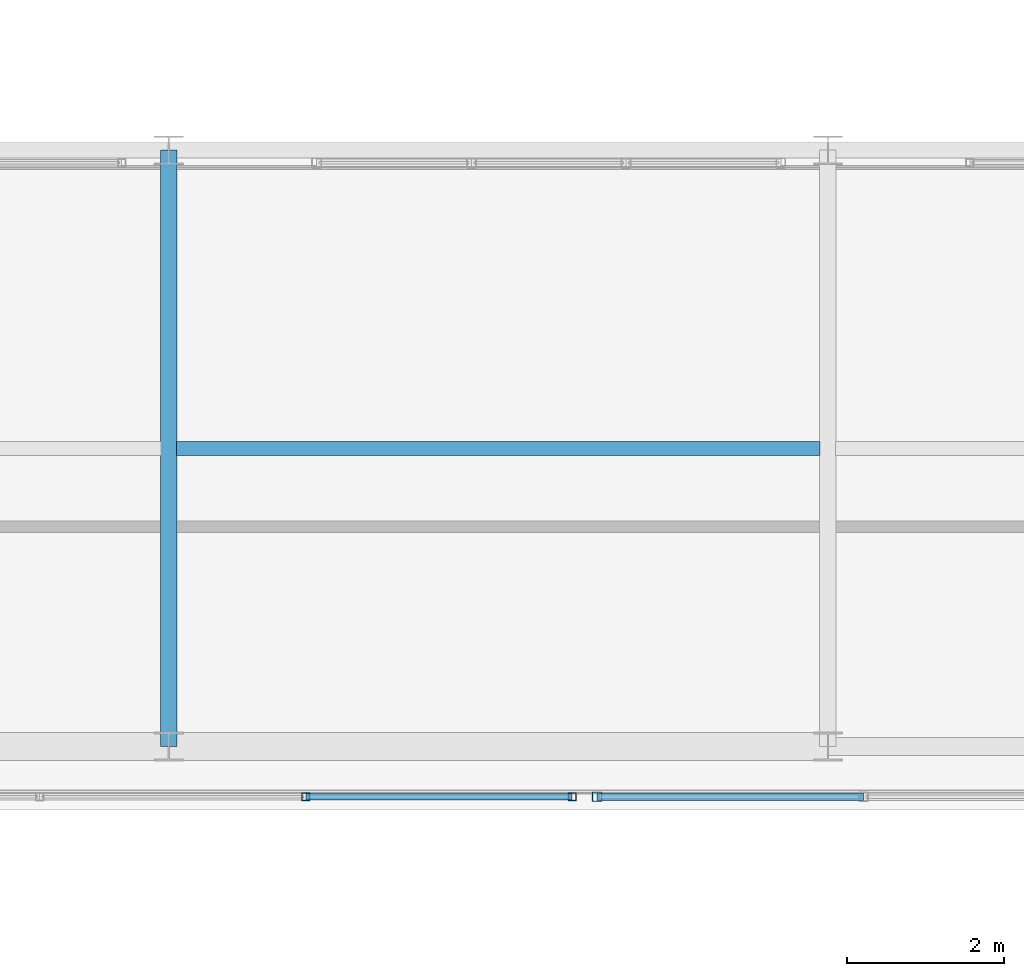
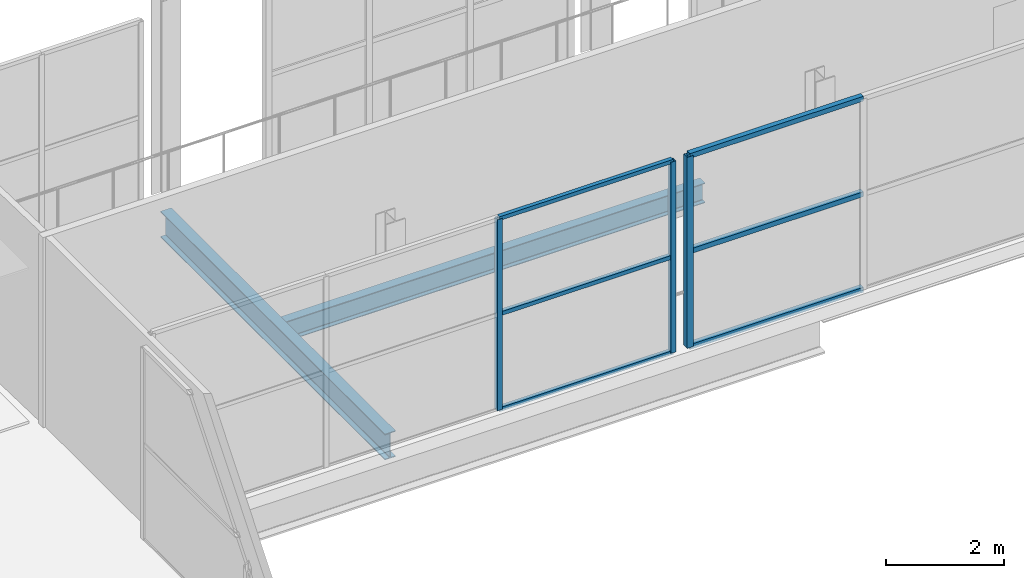
# One storey, part 55 of 217: 9 members, 2 beams, 2 elements without a shape of their own.
"""IFC4 building model written with IfcOpenShell, lengths in metres."""

from ifc_helpers import new_model, si_unit, direction, frame, origin, origin_2d, place, context, subcontext, project, spatial, hollow_rectangle, i_section, extrude, material, material_profile, profile_set, type_object, element, aggregate, save


model = new_model("IFC4")

# Units and contexts
model_context = context("Model", 3, precision=1e-05, world=origin(), true_north=direction((0.0, 1.0)))
body_context = subcontext(model_context, "Body", "Model", "MODEL_VIEW")
ifc_project = project(units=[si_unit("LENGTHUNIT", "METRE"), si_unit("AREAUNIT", "SQUARE_METRE"), si_unit("VOLUMEUNIT", "CUBIC_METRE"), si_unit("PLANEANGLEUNIT", "RADIAN"), si_unit("MASSUNIT", "GRAM", prefix="KILO")], contexts=[model_context])

# Site, building, storey
site_placement = place(None, origin())
site = spatial("IfcSite", under=ifc_project, at=site_placement, CompositionType="ELEMENT")
building_placement = place(site_placement, origin())
building = spatial("IfcBuilding", under=site, at=building_placement, Name="Zuvorla Pavilion Media Centre", CompositionType="ELEMENT")
storey_placement = place(building_placement, frame((0.0, 0.0, 9.60009765625)))
storey = spatial("IfcBuildingStorey", under=building, at=storey_placement, Name="L02", CompositionType="ELEMENT", Elevation=9.60009765625)

# Beams
ifc_material_1 = material(Name="Steel S355", Category="steel")
ifc_material_profile_1 = material_profile(ifc_material_1, i_section(OverallWidth=0.1787109375, OverallDepth=0.409423828125, WebThickness=0.0087890625, FlangeThickness=0.014404296875, FilletRadius=0.01025390625, at=origin_2d()), Name="UB 406x178x67")
ifc_profile_set_1 = profile_set([ifc_material_profile_1], Name="Steel S355")
beam_type_1 = type_object("IfcBeamType", Name="BM-UB406", PredefinedType="JOIST", material=ifc_profile_set_1)
beam_1_placement = place(storey_placement, frame((33.300048828125, 85.800048828125, -0.472900390625), z_axis=(1.0, 0.0, 0.0), x_axis=(0.0, 1.0, 0.0)))
element("IfcBeam", 1, at=beam_1_placement, inside=storey, type_object=beam_type_1, Name="L02 joist J02 988", PredefinedType="JOIST", context=body_context, shape_type="SweptSolid", body=[
    extrude(i_section(OverallWidth=0.1787109375, OverallDepth=0.409423828125, WebThickness=0.0087890625, FlangeThickness=0.014404296875, FilletRadius=0.01025390625, at=origin_2d()), origin(), (0.0, 0.0, 1.0), 8.199951171875),
])
ifc_material_profile_2 = material_profile(ifc_material_1, i_section(OverallWidth=0.2099609375, OverallDepth=0.53662109375, WebThickness=0.0107421875, FlangeThickness=0.017333984375, FilletRadius=0.0126953125, at=origin_2d()), Name="UB 533x210x101")
ifc_profile_set_2 = profile_set([ifc_material_profile_2], Name="Steel S355")
beam_type_2 = type_object("IfcBeamType", Name="BM-UB533", PredefinedType="BEAM", material=ifc_profile_set_2)
beam_2_placement = place(storey_placement, frame((33.199951171875, 82.0, -0.536376953125), z_axis=(0.0, 1.0, 0.0), x_axis=(-1.0, 0.0, 0.0)))
element("IfcBeam", 2, at=beam_2_placement, inside=storey, type_object=beam_type_2, Name="L02 beam B08 902", PredefinedType="BEAM", context=body_context, shape_type="SweptSolid", body=[
    extrude(i_section(OverallWidth=0.2099609375, OverallDepth=0.53662109375, WebThickness=0.0107421875, FlangeThickness=0.017333984375, FilletRadius=0.0126953125, at=origin_2d()), origin(), (0.0, 0.0, 1.0), 7.60009765625),
])

# Curtain wall, members
ifc_material_2 = material(Name="Unitised anodised aluminium and solar glass curtain wall", Category="aluminium")
curtain_wall_type_1 = type_object("IfcCurtainWallType", Name="CW-SYS-30", PredefinedType="USERDEFINED", material=ifc_material_2)
curtain_wall_1_placement = place(storey_placement, origin())
curtain_wall_1 = element("IfcCurtainWall", 3, at=curtain_wall_1_placement, inside=storey, type_object=curtain_wall_type_1, Name="L02 curtain wall CW30 51", ObjectType="CURTAIN WALL", PredefinedType="USERDEFINED")
ifc_material_3 = material(Name="Anodised aluminium 6063-T6", Category="aluminium")
ifc_material_profile_3 = material_profile(ifc_material_3, hollow_rectangle(XDim=0.10009765625, YDim=0.10009765625, WallThickness=0.00439453125, at=origin_2d()), Name="ALU MULL 100x100")
ifc_profile_set_3 = profile_set([ifc_material_profile_3], Name="Anodised aluminium 6063-T6")
member_type_1 = type_object("IfcMemberType", Name="CW-MULL-100", PredefinedType="MULLION", material=ifc_profile_set_3)
member_1_placement = place(storey_placement, frame((38.340087890625, 81.360107421875, 0.0), z_axis=(0.0, 0.0, 1.0), x_axis=(1.0, 0.0, 0.0)))
member_1 = element("IfcMember", 4, at=member_1_placement, type_object=member_type_1, Name="CW30 mullion 1", PredefinedType="MULLION", context=body_context, shape_type="SweptSolid", body=[
    extrude(hollow_rectangle(XDim=0.10009765625, YDim=0.10009765625, WallThickness=0.00439453125, at=origin_2d()), origin(), (0.0, 0.0, 1.0), 3.949951171875),
])
member_2_placement = place(storey_placement, frame((34.94677734375, 81.360107421875, 0.0), z_axis=(0.0, 0.0, 1.0), x_axis=(1.0, 0.0, 0.0)))
member_2 = element("IfcMember", 5, at=member_2_placement, type_object=member_type_1, Name="CW30 mullion 2", PredefinedType="MULLION", context=body_context, shape_type="SweptSolid", body=[
    extrude(hollow_rectangle(XDim=0.10009765625, YDim=0.10009765625, WallThickness=0.00439453125, at=origin_2d()), origin(), (0.0, 0.0, 1.0), 3.949951171875),
])

curtain_wall_type_2 = type_object("IfcCurtainWallType", Name="CW-SYS-33", PredefinedType="USERDEFINED", material=ifc_material_2)
curtain_wall_2_placement = place(storey_placement, origin())
curtain_wall_2 = element("IfcCurtainWall", 6, at=curtain_wall_2_placement, inside=storey, type_object=curtain_wall_type_2, Name="L02 curtain wall CW33 54", ObjectType="CURTAIN WALL", PredefinedType="USERDEFINED")
ifc_material_profile_4 = material_profile(ifc_material_3, hollow_rectangle(XDim=0.1201171875, YDim=0.1201171875, WallThickness=0.0048828125, at=origin_2d()), Name="ALU MULL 120x120")
ifc_profile_set_4 = profile_set([ifc_material_profile_4], Name="Anodised aluminium 6063-T6")
member_type_2 = type_object("IfcMemberType", Name="CW-MULL-120", PredefinedType="MULLION", material=ifc_profile_set_4)
member_3_placement = place(storey_placement, frame((38.659912109375, 81.360107421875, 0.0), z_axis=(0.0, 0.0, 1.0), x_axis=(1.0, 0.0, 0.0)))
member_3 = element("IfcMember", 7, at=member_3_placement, type_object=member_type_2, Name="CW33 mullion 4", PredefinedType="MULLION", context=body_context, shape_type="SweptSolid", body=[
    extrude(hollow_rectangle(XDim=0.1201171875, YDim=0.1201171875, WallThickness=0.0048828125, at=origin_2d()), origin(), (0.0, 0.0, 1.0), 3.949951171875),
])
ifc_material_profile_5 = material_profile(ifc_material_3, hollow_rectangle(XDim=0.10009765625, YDim=0.10009765625, WallThickness=0.00439453125, at=origin_2d()), Name="ALU TRAN 100x100")
ifc_profile_set_5 = profile_set([ifc_material_profile_5], Name="Anodised aluminium 6063-T6")
member_type_3 = type_object("IfcMemberType", Name="CW-TRAN-100", PredefinedType="USERDEFINED", material=ifc_profile_set_5)
member_4_placement = place(storey_placement, frame((42.05322265625, 81.360107421875, 0.0), z_axis=(-1.0, 0.0, 0.0), x_axis=(0.0, -1.0, 0.0)))
member_4 = element("IfcMember", 8, at=member_4_placement, type_object=member_type_3, Name="CW33 transom 3.1", ObjectType="TRANSOM", PredefinedType="USERDEFINED", context=body_context, shape_type="SweptSolid", body=[
    extrude(hollow_rectangle(XDim=0.10009765625, YDim=0.10009765625, WallThickness=0.00439453125, at=origin_2d()), origin(), (0.0, 0.0, 1.0), 3.393310546875),
])
member_5_placement = place(storey_placement, frame((42.05322265625, 81.360107421875, 1.974853515625), z_axis=(-1.0, 0.0, 0.0), x_axis=(0.0, -1.0, 0.0)))
member_5 = element("IfcMember", 9, at=member_5_placement, type_object=member_type_3, Name="CW33 transom 3.2", ObjectType="TRANSOM", PredefinedType="USERDEFINED", context=body_context, shape_type="SweptSolid", body=[
    extrude(hollow_rectangle(XDim=0.10009765625, YDim=0.10009765625, WallThickness=0.00439453125, at=origin_2d()), origin(), (0.0, 0.0, 1.0), 3.393310546875),
])
member_6_placement = place(storey_placement, frame((42.05322265625, 81.360107421875, 3.949951171875), z_axis=(-1.0, 0.0, 0.0), x_axis=(0.0, -1.0, 0.0)))
member_6 = element("IfcMember", 10, at=member_6_placement, type_object=member_type_3, Name="CW33 transom 3.3", ObjectType="TRANSOM", PredefinedType="USERDEFINED", context=body_context, shape_type="SweptSolid", body=[
    extrude(hollow_rectangle(XDim=0.10009765625, YDim=0.10009765625, WallThickness=0.00439453125, at=origin_2d()), origin(), (0.0, 0.0, 1.0), 3.393310546875),
])
aggregate(curtain_wall_2, [member_3, member_4, member_5, member_6])

# Member
ifc_material_profile_6 = material_profile(ifc_material_3, hollow_rectangle(XDim=0.080078125, YDim=0.080078125, WallThickness=0.00390625, at=origin_2d()), Name="ALU TRAN 80x80")
ifc_profile_set_6 = profile_set([ifc_material_profile_6], Name="Anodised aluminium 6063-T6")
member_type_4 = type_object("IfcMemberType", Name="CW-TRAN-80", PredefinedType="USERDEFINED", material=ifc_profile_set_6)
member_7_placement = place(storey_placement, frame((38.340087890625, 81.360107421875, 0.0), z_axis=(-1.0, 0.0, 0.0), x_axis=(0.0, -1.0, 0.0)))
member_7 = element("IfcMember", 11, at=member_7_placement, type_object=member_type_4, Name="CW30 transom 1.1", ObjectType="TRANSOM", PredefinedType="USERDEFINED", context=body_context, shape_type="SweptSolid", body=[
    extrude(hollow_rectangle(XDim=0.080078125, YDim=0.080078125, WallThickness=0.00390625, at=origin_2d()), origin(), (0.0, 0.0, 1.0), 3.393310546875),
])

member_8_placement = place(storey_placement, frame((38.340087890625, 81.360107421875, 1.974853515625), z_axis=(-1.0, 0.0, 0.0), x_axis=(0.0, -1.0, 0.0)))
member_8 = element("IfcMember", 12, at=member_8_placement, type_object=member_type_4, Name="CW30 transom 1.2", ObjectType="TRANSOM", PredefinedType="USERDEFINED", context=body_context, shape_type="SweptSolid", body=[
    extrude(hollow_rectangle(XDim=0.080078125, YDim=0.080078125, WallThickness=0.00390625, at=origin_2d()), origin(), (0.0, 0.0, 1.0), 3.393310546875),
])

member_9_placement = place(storey_placement, frame((38.340087890625, 81.360107421875, 3.949951171875), z_axis=(-1.0, 0.0, 0.0), x_axis=(0.0, -1.0, 0.0)))
member_9 = element("IfcMember", 13, at=member_9_placement, type_object=member_type_4, Name="CW30 transom 1.3", ObjectType="TRANSOM", PredefinedType="USERDEFINED", context=body_context, shape_type="SweptSolid", body=[
    extrude(hollow_rectangle(XDim=0.080078125, YDim=0.080078125, WallThickness=0.00390625, at=origin_2d()), origin(), (0.0, 0.0, 1.0), 3.393310546875),
])

aggregate(curtain_wall_1, [member_1, member_2, member_7, member_8, member_9])

save(model, "model.ifc")
